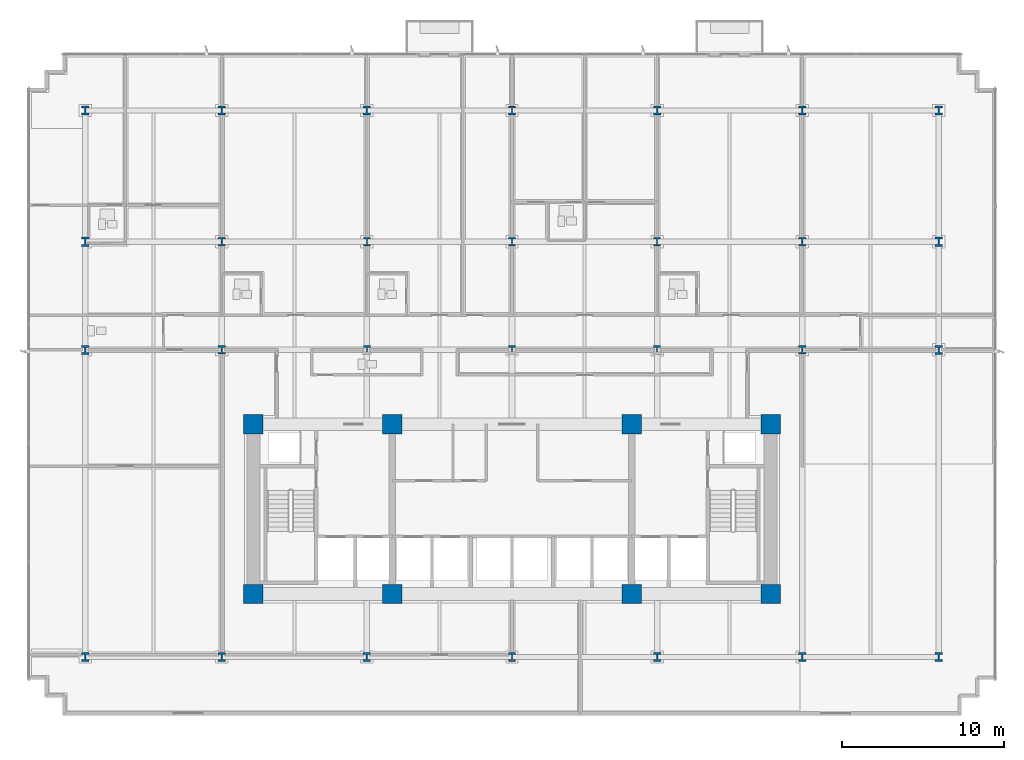
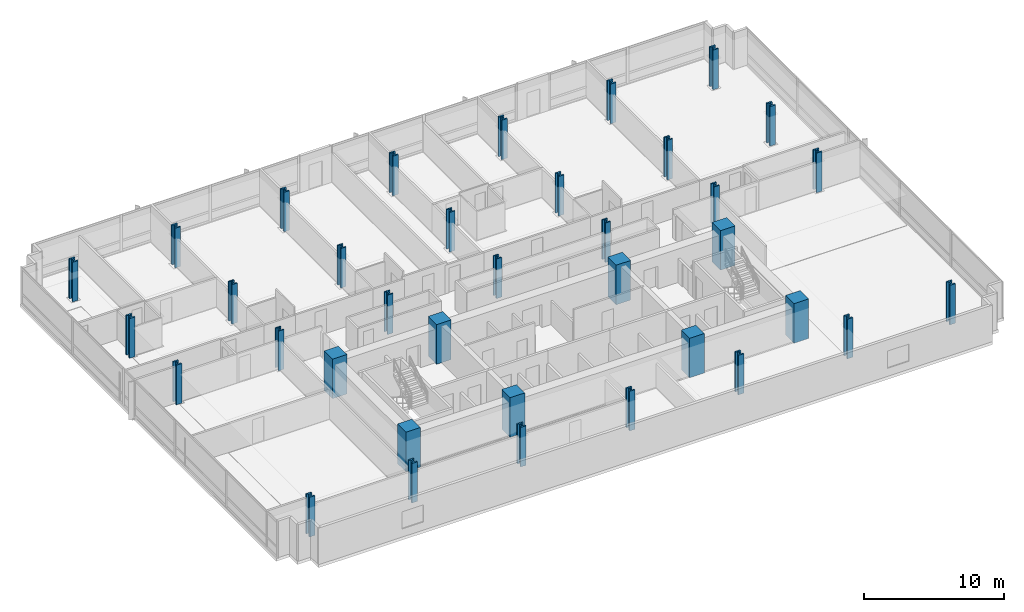
# One storey, part 1 of 16: 36 columns.
"""IFC4 building model written with IfcOpenShell, lengths in metres."""

from ifc_helpers import new_model, si_unit, direction, frame, origin, origin_2d, place, context, subcontext, project, spatial, rectangle, i_section, extrude, material, material_profile, profile_set, type_object, element, save


model = new_model("IFC4")

# Units and contexts
model_context = context("Model", 3, precision=1e-05, world=origin(), true_north=direction((0.0, 1.0)))
body_context = subcontext(model_context, "Body", "Model", "MODEL_VIEW")
ifc_project = project(units=[si_unit("LENGTHUNIT", "METRE"), si_unit("AREAUNIT", "SQUARE_METRE"), si_unit("VOLUMEUNIT", "CUBIC_METRE"), si_unit("PLANEANGLEUNIT", "RADIAN"), si_unit("MASSUNIT", "GRAM", prefix="KILO")], contexts=[model_context])

# Site, building, storey
site_placement = place(None, origin())
site = spatial("IfcSite", under=ifc_project, at=site_placement, CompositionType="ELEMENT")
building_placement = place(site_placement, origin())
building = spatial("IfcBuilding", under=site, at=building_placement, Name="Solmavex Isthmus Hotel", CompositionType="ELEMENT")
storey_placement = place(building_placement, frame((0.0, 0.0, 29.85009765625)))
storey = spatial("IfcBuildingStorey", under=building, at=storey_placement, Name="L07", CompositionType="ELEMENT", Elevation=29.85009765625)

# Columns
ifc_material_1 = material(Name="Concrete C70/85", Category="concrete")
ifc_material_profile_1 = material_profile(ifc_material_1, rectangle(XDim=1.199951171875, YDim=1.199951171875, at=origin_2d()), Name="RC1200X1200")
ifc_profile_set_1 = profile_set([ifc_material_profile_1], Name="Concrete C70/85")
column_type_1 = type_object("IfcColumnType", Name="COL-CC-1200", PredefinedType="COLUMN", material=ifc_profile_set_1)
for number, where, z_axis, x_axis, name in (
    (1, (-16.0, -13.0, 0.0), (0.0, 0.0, 1.0), (1.0, 0.0, 0.0), "Core Pilaster CC-SW L07"),
    (2, (-7.39990234375, -13.0, 0.0), (0.0, 0.0, 1.0), (1.0, 0.0, 0.0), "Core Pilaster CC-S1 L07"),
    (3, (7.39990234375, -13.0, 0.0), (0.0, 0.0, 1.0), (1.0, 0.0, 0.0), "Core Pilaster CC-S2 L07"),
    (4, (16.0, -13.0, 0.0), (0.0, 0.0, 1.0), (1.0, 0.0, 0.0), "Core Pilaster CC-SE L07"),
    (5, (-16.0, -2.5, 0.0), (0.0, 0.0, 1.0), (1.0, 0.0, 0.0), "Core Pilaster CC-NW L07"),
    (6, (-7.39990234375, -2.5, 0.0), (0.0, 0.0, 1.0), (1.0, 0.0, 0.0), "Core Pilaster CC-N1 L07"),
    (7, (7.39990234375, -2.5, 0.0), (0.0, 0.0, 1.0), (1.0, 0.0, 0.0), "Core Pilaster CC-N2 L07"),
    (8, (16.0, -2.5, 0.0), (0.0, 0.0, 1.0), (1.0, 0.0, 0.0), "Core Pilaster CC-NE L07"),
):
    element("IfcColumn", number, at=place(storey_placement, frame(where, z_axis=z_axis, x_axis=x_axis)), inside=storey, type_object=column_type_1, Name=name, PredefinedType="COLUMN", context=body_context, shape_type="SweptSolid", body=[
        extrude(rectangle(XDim=1.199951171875, YDim=1.199951171875, at=origin_2d()), origin(), (0.0, 0.0, 1.0), 3.449951171875),
    ])
ifc_material_2 = material(Name="Steel ASTM A913 Grade 65", Category="steel")
ifc_material_profile_2 = material_profile(ifc_material_2, i_section(OverallWidth=0.442138671875, OverallDepth=0.531494140625, WebThickness=0.06591796875, FlangeThickness=0.105712890625, FilletRadius=0.030517578125, at=origin_2d()), Name="W14X605")
ifc_profile_set_2 = profile_set([ifc_material_profile_2], Name="Steel ASTM A913 Grade 65")
column_type_2 = type_object("IfcColumnType", Name="COL-SC-W14X605", PredefinedType="COLUMN", material=ifc_profile_set_2)
for number, where, z_axis, x_axis, name in (
    (9, (-17.951904296875, 2.10009765625, 0.0), (0.0, 0.0, 1.0), (1.0, 0.0, 0.0), "Tower Column B1-U2V2 L07"),
    (10, (-17.951904296875, 8.7880859375, 0.0), (0.0, 0.0, 1.0), (1.0, 0.0, 0.0), "Tower Column B1-U2V3 L07"),
    (11, (-8.97607421875, 2.10009765625, 0.0), (0.0, 0.0, 1.0), (1.0, 0.0, 0.0), "Tower Column B1-U3V2 L07"),
    (12, (-8.97607421875, 8.7880859375, 0.0), (0.0, 0.0, 1.0), (1.0, 0.0, 0.0), "Tower Column B1-U3V3 L07"),
    (13, (0.0, 2.10009765625, 0.0), (0.0, 0.0, 1.0), (1.0, 0.0, 0.0), "Tower Column B1-U4V2 L07"),
    (14, (0.0, 8.7880859375, 0.0), (0.0, 0.0, 1.0), (1.0, 0.0, 0.0), "Tower Column B1-U4V3 L07"),
    (15, (8.97607421875, 2.10009765625, 0.0), (0.0, 0.0, 1.0), (1.0, 0.0, 0.0), "Tower Column B1-U5V2 L07"),
    (16, (8.97607421875, 8.7880859375, 0.0), (0.0, 0.0, 1.0), (1.0, 0.0, 0.0), "Tower Column B1-U5V3 L07"),
    (17, (17.951904296875, 2.10009765625, 0.0), (0.0, 0.0, 1.0), (1.0, 0.0, 0.0), "Tower Column B1-U6V2 L07"),
    (18, (17.951904296875, 8.7880859375, 0.0), (0.0, 0.0, 1.0), (1.0, 0.0, 0.0), "Tower Column B1-U6V3 L07"),
):
    element("IfcColumn", number, at=place(storey_placement, frame(where, z_axis=z_axis, x_axis=x_axis)), inside=storey, type_object=column_type_2, Name=name, PredefinedType="COLUMN", context=body_context, shape_type="SweptSolid", body=[
        extrude(i_section(OverallWidth=0.442138671875, OverallDepth=0.531494140625, WebThickness=0.06591796875, FlangeThickness=0.105712890625, FilletRadius=0.030517578125, at=origin_2d()), origin(), (0.0, 0.0, 1.0), 3.449951171875),
    ])
ifc_material_profile_3 = material_profile(ifc_material_2, i_section(OverallWidth=0.454345703125, OverallDepth=0.569091796875, WebThickness=0.077880859375, FlangeThickness=0.124755859375, FilletRadius=0.030517578125, at=origin_2d()), Name="W14X730")
ifc_profile_set_3 = profile_set([ifc_material_profile_3], Name="Steel ASTM A913 Grade 65")
column_type_3 = type_object("IfcColumnType", Name="COL-SC-W14X730", PredefinedType="COLUMN", material=ifc_profile_set_3)
for number, where, z_axis, x_axis, name in (
    (19, (-26.39990234375, -16.89990234375, 0.0), (0.0, 0.0, 1.0), (1.0, 0.0, 0.0), "Tower Column B1-U1V1 L07"),
    (20, (-26.39990234375, 2.10009765625, 0.0), (0.0, 0.0, 1.0), (1.0, 0.0, 0.0), "Tower Column B1-U1V2 L07"),
    (21, (-26.39990234375, 8.7880859375, 0.0), (0.0, 0.0, 1.0), (1.0, 0.0, 0.0), "Tower Column B1-U1V3 L07"),
    (22, (-26.39990234375, 16.89990234375, 0.0), (0.0, 0.0, 1.0), (1.0, 0.0, 0.0), "Tower Column B1-U1V4 L07"),
    (23, (-17.951904296875, -16.89990234375, 0.0), (0.0, 0.0, 1.0), (1.0, 0.0, 0.0), "Tower Column B1-U2V1 L07"),
    (24, (-17.951904296875, 16.89990234375, 0.0), (0.0, 0.0, 1.0), (1.0, 0.0, 0.0), "Tower Column B1-U2V4 L07"),
    (25, (-8.97607421875, -16.89990234375, 0.0), (0.0, 0.0, 1.0), (1.0, 0.0, 0.0), "Tower Column B1-U3V1 L07"),
    (26, (-8.97607421875, 16.89990234375, 0.0), (0.0, 0.0, 1.0), (1.0, 0.0, 0.0), "Tower Column B1-U3V4 L07"),
    (27, (0.0, -16.89990234375, 0.0), (0.0, 0.0, 1.0), (1.0, 0.0, 0.0), "Tower Column B1-U4V1 L07"),
    (28, (0.0, 16.89990234375, 0.0), (0.0, 0.0, 1.0), (1.0, 0.0, 0.0), "Tower Column B1-U4V4 L07"),
    (29, (8.97607421875, -16.89990234375, 0.0), (0.0, 0.0, 1.0), (1.0, 0.0, 0.0), "Tower Column B1-U5V1 L07"),
    (30, (8.97607421875, 16.89990234375, 0.0), (0.0, 0.0, 1.0), (1.0, 0.0, 0.0), "Tower Column B1-U5V4 L07"),
    (31, (17.951904296875, -16.89990234375, 0.0), (0.0, 0.0, 1.0), (1.0, 0.0, 0.0), "Tower Column B1-U6V1 L07"),
    (32, (17.951904296875, 16.89990234375, 0.0), (0.0, 0.0, 1.0), (1.0, 0.0, 0.0), "Tower Column B1-U6V4 L07"),
    (33, (26.39990234375, -16.89990234375, 0.0), (0.0, 0.0, 1.0), (1.0, 0.0, 0.0), "Tower Column B1-U7V1 L07"),
    (34, (26.39990234375, 2.10009765625, 0.0), (0.0, 0.0, 1.0), (1.0, 0.0, 0.0), "Tower Column B1-U7V2 L07"),
    (35, (26.39990234375, 8.7880859375, 0.0), (0.0, 0.0, 1.0), (1.0, 0.0, 0.0), "Tower Column B1-U7V3 L07"),
    (36, (26.39990234375, 16.89990234375, 0.0), (0.0, 0.0, 1.0), (1.0, 0.0, 0.0), "Tower Column B1-U7V4 L07"),
):
    element("IfcColumn", number, at=place(storey_placement, frame(where, z_axis=z_axis, x_axis=x_axis)), inside=storey, type_object=column_type_3, Name=name, PredefinedType="COLUMN", context=body_context, shape_type="SweptSolid", body=[
        extrude(i_section(OverallWidth=0.454345703125, OverallDepth=0.569091796875, WebThickness=0.077880859375, FlangeThickness=0.124755859375, FilletRadius=0.030517578125, at=origin_2d()), origin(), (0.0, 0.0, 1.0), 3.449951171875),
    ])

save(model, "model.ifc")
